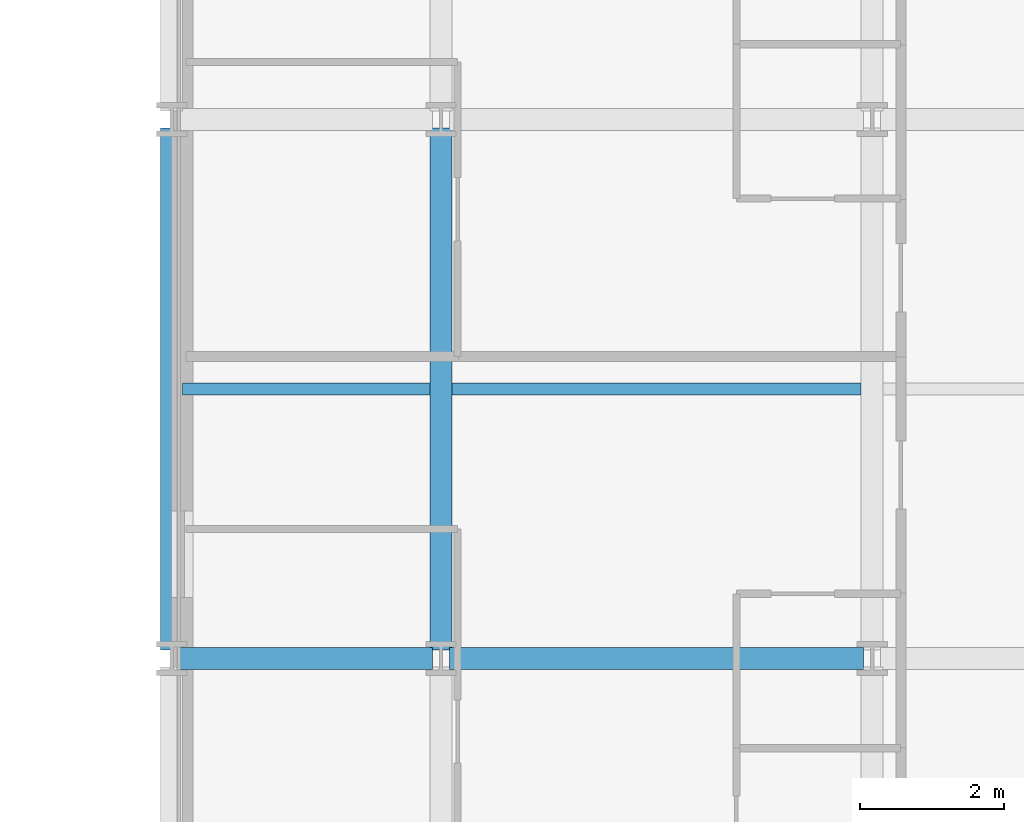
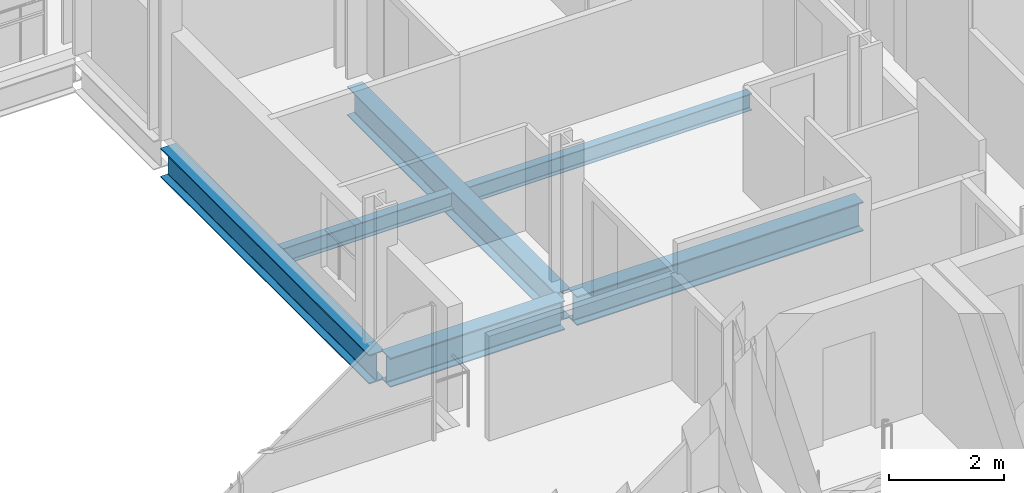
# One storey, part 16 of 40: 6 beams.
"""IFC4 building model written with IfcOpenShell, lengths in metres."""

from ifc_helpers import new_model, si_unit, direction, frame, origin, origin_2d, place, context, subcontext, project, spatial, i_section, extrude, material, material_profile, profile_set, type_object, element, save


model = new_model("IFC4")

# Units and contexts
model_context = context("Model", 3, precision=1e-05, world=origin(), true_north=direction((0.0, 1.0)))
body_context = subcontext(model_context, "Body", "Model", "MODEL_VIEW")
ifc_project = project(units=[si_unit("LENGTHUNIT", "METRE"), si_unit("AREAUNIT", "SQUARE_METRE"), si_unit("VOLUMEUNIT", "CUBIC_METRE"), si_unit("PLANEANGLEUNIT", "RADIAN"), si_unit("MASSUNIT", "GRAM", prefix="KILO")], contexts=[model_context])

# Site, building, storey
site_placement = place(None, origin())
site = spatial("IfcSite", under=ifc_project, at=site_placement, CompositionType="ELEMENT")
building_placement = place(site_placement, origin())
building = spatial("IfcBuilding", under=site, at=building_placement, Name="Brevholm Reach", CompositionType="ELEMENT")
storey_placement = place(building_placement, frame((0.0, 0.0, 37.300048828125)))
storey = spatial("IfcBuildingStorey", under=building, at=storey_placement, Name="L09", CompositionType="ELEMENT", Elevation=37.300048828125)

# Beams
ifc_material_1 = material(Name="Structural Steel S355J2", Category="steel")
ifc_material_profile_1 = material_profile(ifc_material_1, i_section(OverallWidth=0.17138671875, OverallDepth=0.35498046875, WebThickness=0.00732421875, FlangeThickness=0.011474609375, FilletRadius=0.01025390625, at=origin_2d()), Name="UKB 356x171x51")
ifc_profile_set_1 = profile_set([ifc_material_profile_1], Name="Structural Steel S355J2")
beam_type_1 = type_object("IfcBeamType", Name="BM-B356", PredefinedType="BEAM", material=ifc_profile_set_1)
beam_1_placement = place(storey_placement, frame((38.403564453125, 19.75, -0.407470703125), z_axis=(1.0, 0.0, 0.0), x_axis=(0.0, 1.0, 0.0)))
element("IfcBeam", 1, at=beam_1_placement, inside=storey, type_object=beam_type_1, Name="L09 Composite Secondary Floor Beam", PredefinedType="BEAM", context=body_context, shape_type="SweptSolid", body=[
    extrude(i_section(OverallWidth=0.17138671875, OverallDepth=0.35498046875, WebThickness=0.00732421875, FlangeThickness=0.011474609375, FilletRadius=0.01025390625, at=origin_2d()), origin(), (0.0, 0.0, 1.0), 3.44287109375),
])
beam_2_placement = place(storey_placement, frame((42.153564453125, 19.75, -0.407470703125), z_axis=(1.0, 0.0, 0.0), x_axis=(0.0, 1.0, 0.0)))
element("IfcBeam", 2, at=beam_2_placement, inside=storey, type_object=beam_type_1, Name="L09 Composite Secondary Floor Beam", PredefinedType="BEAM", context=body_context, shape_type="SweptSolid", body=[
    extrude(i_section(OverallWidth=0.17138671875, OverallDepth=0.35498046875, WebThickness=0.00732421875, FlangeThickness=0.011474609375, FilletRadius=0.01025390625, at=origin_2d()), origin(), (0.0, 0.0, 1.0), 5.69287109375),
])
ifc_material_2 = material(Name="Structural Steel S355J2", Category="steel")
ifc_material_profile_2 = material_profile(ifc_material_2, i_section(OverallWidth=0.30712890625, OverallDepth=0.6201171875, WebThickness=0.01416015625, FlangeThickness=0.023681640625, FilletRadius=0.0166015625, at=origin_2d()), Name="UKB 610x305x179")
ifc_profile_set_2 = profile_set([ifc_material_profile_2], Name="Structural Steel S355J2")
beam_type_2 = type_object("IfcBeamType", Name="BM-UKB610H", PredefinedType="USERDEFINED", material=ifc_profile_set_2)
beam_3_placement = place(storey_placement, frame((38.3701171875, 16.0, -0.5400390625), z_axis=(1.0, 0.0, 0.0), x_axis=(0.0, 1.0, 0.0)))
element("IfcBeam", 3, at=beam_3_placement, inside=storey, type_object=beam_type_2, Name="L09 G-06 Framing Beam", ObjectType="GIRDER", PredefinedType="USERDEFINED", context=body_context, shape_type="SweptSolid", body=[
    extrude(i_section(OverallWidth=0.30712890625, OverallDepth=0.6201171875, WebThickness=0.01416015625, FlangeThickness=0.023681640625, FilletRadius=0.0166015625, at=origin_2d()), origin(), (0.0, 0.0, 1.0), 3.509765625),
])
beam_4_placement = place(storey_placement, frame((42.1201171875, 16.0, -0.5400390625), z_axis=(1.0, 0.0, 0.0), x_axis=(0.0, 1.0, 0.0)))
element("IfcBeam", 4, at=beam_4_placement, inside=storey, type_object=beam_type_2, Name="L09 G-06 Framing Beam", ObjectType="GIRDER", PredefinedType="USERDEFINED", context=body_context, shape_type="SweptSolid", body=[
    extrude(i_section(OverallWidth=0.30712890625, OverallDepth=0.6201171875, WebThickness=0.01416015625, FlangeThickness=0.023681640625, FilletRadius=0.0166015625, at=origin_2d()), origin(), (0.0, 0.0, 1.0), 5.759765625),
])
for number, where, z_axis, x_axis, name in (
    (5, (38.25, 16.1201171875, -0.5400390625), (0.0, 1.0, 0.0), (-1.0, 0.0, 0.0), "L09 G-06 Framing Beam"),
    (6, (42.0, 16.1201171875, -0.5400390625), (0.0, 1.0, 0.0), (-1.0, 0.0, 0.0), "L09 G-06 Framing Beam"),
):
    element("IfcBeam", number, at=place(storey_placement, frame(where, z_axis=z_axis, x_axis=x_axis)), inside=storey, type_object=beam_type_2, Name=name, ObjectType="GIRDER", PredefinedType="USERDEFINED", context=body_context, shape_type="SweptSolid", body=[
        extrude(i_section(OverallWidth=0.30712890625, OverallDepth=0.6201171875, WebThickness=0.01416015625, FlangeThickness=0.023681640625, FilletRadius=0.0166015625, at=origin_2d()), origin(), (0.0, 0.0, 1.0), 7.259765625),
    ])

save(model, "model.ifc")
